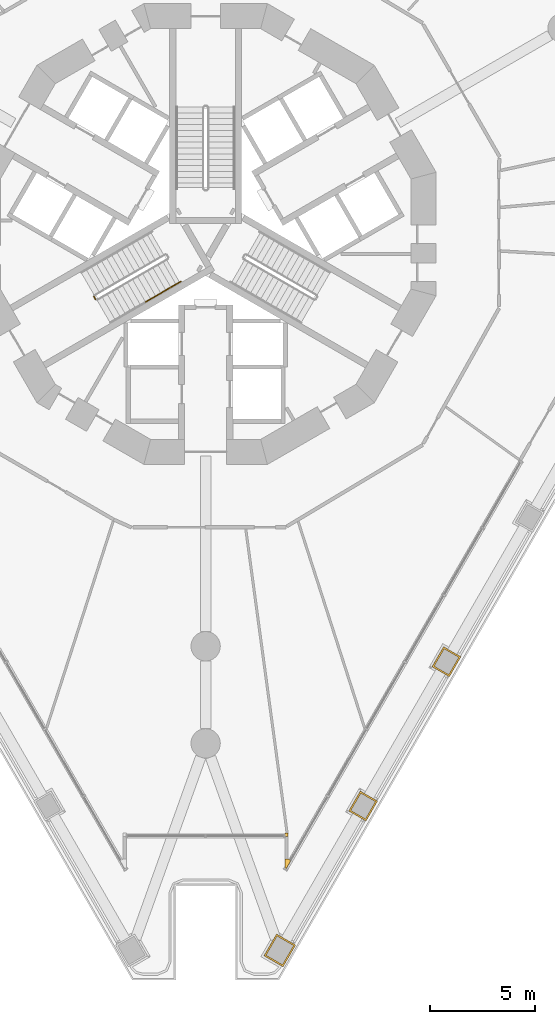
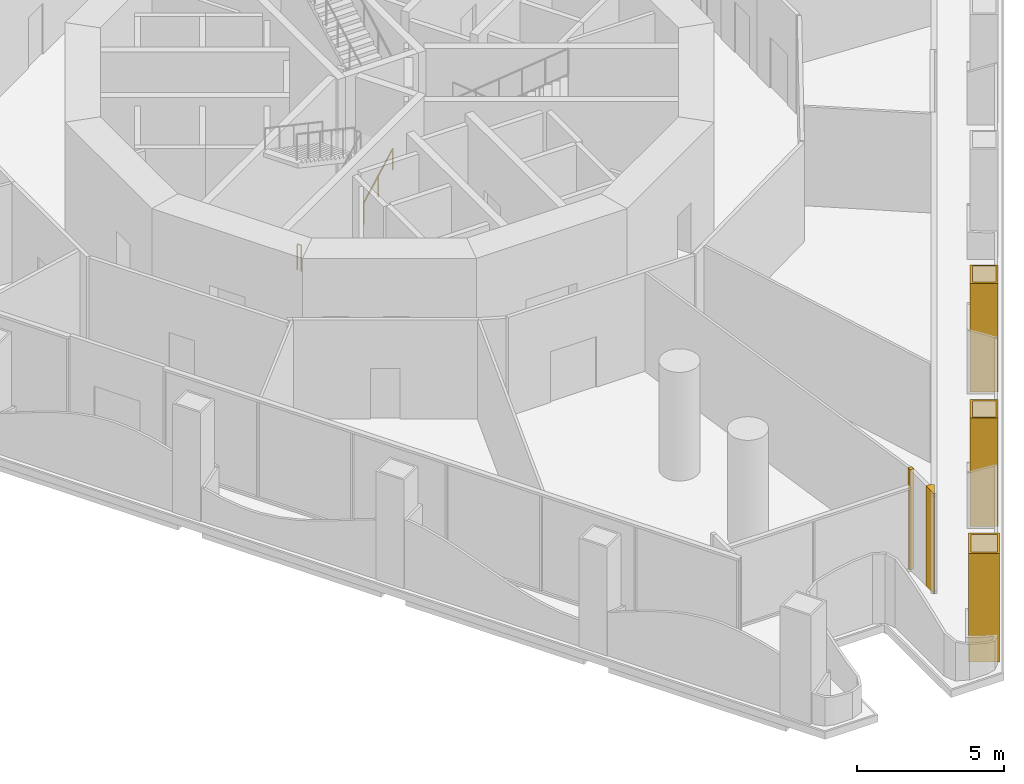
# One storey, part 17 of 22: 5 coverings, 2 railings.
"""IFC4 building model written with IfcOpenShell, lengths in metres."""

from ifc_helpers import new_model, si_unit, direction, frame, origin, origin_2d, place, context, subcontext, project, spatial, polyline, circle, outline, extrude, material, layer, layer_set, type_object, element, save


model = new_model("IFC4")

# Units and contexts
model_context = context("Model", 3, precision=1e-05, world=origin(), true_north=direction((0.0, 1.0)))
body_context = subcontext(model_context, "Body", "Model", "MODEL_VIEW")
ifc_project = project(units=[si_unit("LENGTHUNIT", "METRE"), si_unit("AREAUNIT", "SQUARE_METRE"), si_unit("VOLUMEUNIT", "CUBIC_METRE"), si_unit("PLANEANGLEUNIT", "RADIAN"), si_unit("MASSUNIT", "GRAM", prefix="KILO")], contexts=[model_context])

# Site, building, storey
site_placement = place(None, origin())
site = spatial("IfcSite", under=ifc_project, at=site_placement, CompositionType="ELEMENT")
building_placement = place(site_placement, origin())
building = spatial("IfcBuilding", under=site, at=building_placement, Name="Trine Commons Tower", CompositionType="ELEMENT")
storey_placement = place(building_placement, frame((0.0, 0.0, 22.5)))
storey = spatial("IfcBuildingStorey", under=building, at=storey_placement, Name="L04", CompositionType="ELEMENT", Elevation=22.5)

# Coverings
ifc_material_1 = material(Name="Aluminium-framed insulated wall panel", Category="aluminium")
ifc_layer_1 = layer(ifc_material_1, 0.14990234375)
ifc_layer_set_1 = layer_set([ifc_layer_1], Name="Aluminium-framed insulated wall panel")
covering_type_1 = type_object("IfcCoveringType", Name="Glazing corner post, aluminium", PredefinedType="CLADDING", material=ifc_layer_set_1)
covering_1_placement = place(storey_placement, origin())
element("IfcCovering", 1, at=covering_1_placement, inside=storey, type_object=covering_type_1, Name="Glazing corner post 1-09", PredefinedType="CLADDING", context=body_context, shape_type="SweptSolid", body=[
    extrude(outline(polyline([(83.7900390625, 32.635009765625), (83.7900390625, 32.0751953125), (84.06982421875, 32.56005859375), (83.93994140625, 32.635009765625), (83.93994140625, 32.635009765625), (83.7900390625, 32.635009765625)])), origin(), (0.0, 0.0, 1.0), 4.14990234375),
])
covering_2_placement = place(storey_placement, origin())
element("IfcCovering", 2, at=covering_2_placement, inside=storey, type_object=covering_type_1, Name="Glazing corner post 1-10", PredefinedType="CLADDING", context=body_context, shape_type="SweptSolid", body=[
    extrude(outline(polyline([(83.93994140625, 33.720703125), (83.93994140625, 33.870849609375), (83.7900390625, 33.870849609375), (83.7900390625, 33.720703125), (83.93994140625, 33.720703125)])), origin(), (0.0, 0.0, 1.0), 4.14990234375),
])
ifc_material_2 = material(Name="Limestone, honed", Category="masonry")
ifc_layer_2 = layer(ifc_material_2, 0.074951171875)
ifc_layer_set_2 = layer_set([ifc_layer_2], Name="Limestone, honed")
covering_type_2 = type_object("IfcCoveringType", Name="Limestone column cladding 75", PredefinedType="CLADDING", material=ifc_layer_set_2)
covering_3_placement = place(storey_placement, origin())
element("IfcCovering", 3, at=covering_3_placement, inside=storey, type_object=covering_type_2, Name="Limestone pier cladding 1-22", PredefinedType="CLADDING", context=body_context, shape_type="SweptSolid", body=[
    extrude(outline(polyline([(92.1943359375, 42.3017578125), (91.37158203125, 42.77685546875), (90.821533203125, 41.82421875), (91.644287109375, 41.34912109375), (92.1943359375, 42.3017578125)]), holes=[polyline([(92.091796875, 42.2744140625), (91.39892578125, 42.67431640625), (90.924072265625, 41.8515625), (91.61669921875, 41.45166015625), (92.091796875, 42.2744140625)])]), origin(), (0.0, 0.0, 1.0), 4.5),
])
covering_4_placement = place(storey_placement, origin())
element("IfcCovering", 4, at=covering_4_placement, inside=storey, type_object=covering_type_2, Name="Limestone pier cladding 1-23", PredefinedType="CLADDING", context=body_context, shape_type="SweptSolid", body=[
    extrude(outline(polyline([(88.212646484375, 35.4052734375), (87.389892578125, 35.88037109375), (86.83984375, 34.927734375), (87.66259765625, 34.45263671875), (88.212646484375, 35.4052734375)]), holes=[polyline([(88.110107421875, 35.3779296875), (87.417236328125, 35.77783203125), (86.9423828125, 34.955078125), (87.635009765625, 34.55517578125), (88.110107421875, 35.3779296875)])]), origin(), (0.0, 0.0, 1.0), 4.5),
])
covering_5_placement = place(storey_placement, origin())
element("IfcCovering", 5, at=covering_5_placement, inside=storey, type_object=covering_type_2, Name="Limestone pier cladding 1-24", PredefinedType="CLADDING", context=body_context, shape_type="SweptSolid", body=[
    extrude(outline(polyline([(84.29931640625, 28.527099609375), (83.389892578125, 29.052001953125), (82.789794921875, 28.012939453125), (83.69921875, 27.48779296875), (84.29931640625, 28.527099609375)]), holes=[polyline([(84.19677734375, 28.499755859375), (83.417236328125, 28.94970703125), (82.892333984375, 28.040283203125), (83.671630859375, 27.59033203125), (84.19677734375, 28.499755859375)])]), origin(), (0.0, 0.0, 1.0), 4.5),
])

# Railings
ifc_material_3 = material(Name="Stainless steel balustrade", Category="steel")
railing_type_1 = type_object("IfcRailingType", Name="Stair guard, steel balustrade 1100", PredefinedType="GUARDRAIL", material=ifc_material_3)
railing_1_placement = place(storey_placement, frame((74.73681640625, 59.374755859375, 0.0)))
element("IfcRailing", 6, at=railing_1_placement, inside=storey, type_object=railing_type_1, Name="L04 ST2A stair guard 4", PredefinedType="GUARDRAIL", context=body_context, shape_type="SweptSolid", body=[
    extrude(circle(Radius=0.02392578125, at=origin_2d()), frame((0.0, 0.0, 1.076171875), z_axis=(-0.499816412211, 0.866131372301, 0.0), x_axis=(-0.866131372301, -0.499816412211, 0.0)), (0.0, 0.0, 1.0), 0.14990234375),
    extrude(circle(Radius=0.02099609375, at=origin_2d()), origin(), (0.0, 0.0, 1.0), 1.052001953125),
    extrude(circle(Radius=0.02099609375, at=origin_2d()), frame((-0.074951171875, 0.1298828125, 0.0)), (0.0, 0.0, 1.0), 1.052001953125),
])
ifc_material_4 = material(Name="Stainless steel handrail", Category="steel")
railing_type_2 = type_object("IfcRailingType", Name="Stair handrail, steel 900", PredefinedType="HANDRAIL", material=ifc_material_4)
railing_2_placement = place(storey_placement, frame((77.127685546875, 59.25390625, 1.199951171875)))
element("IfcRailing", 7, at=railing_2_placement, inside=storey, type_object=railing_type_2, Name="L04 ST2A stair handrail 2", PredefinedType="HANDRAIL", context=body_context, shape_type="SweptSolid", body=[
    extrude(circle(Radius=0.02099609375, at=origin_2d()), frame((0.0, 0.0, 0.87890625), z_axis=(0.763352030933, 0.440750151347, 0.472263677365), x_axis=(-0.500024377727, 0.866011328839, 0.0)), (0.0, 0.0, 1.0), 2.223388671875),
    extrude(circle(Radius=0.01513671875, at=origin_2d()), origin(), (0.0, 0.0, 1.0), 0.85791015625),
    extrude(circle(Radius=0.01513671875, at=origin_2d()), frame((0.8486328125, 0.489990234375, 0.52490234375)), (0.0, 0.0, 1.0), 0.85791015625),
    extrude(circle(Radius=0.01513671875, at=origin_2d()), frame((1.697265625, 0.97998046875, 1.050048828125)), (0.0, 0.0, 1.0), 0.85791015625),
])

save(model, "model.ifc")
